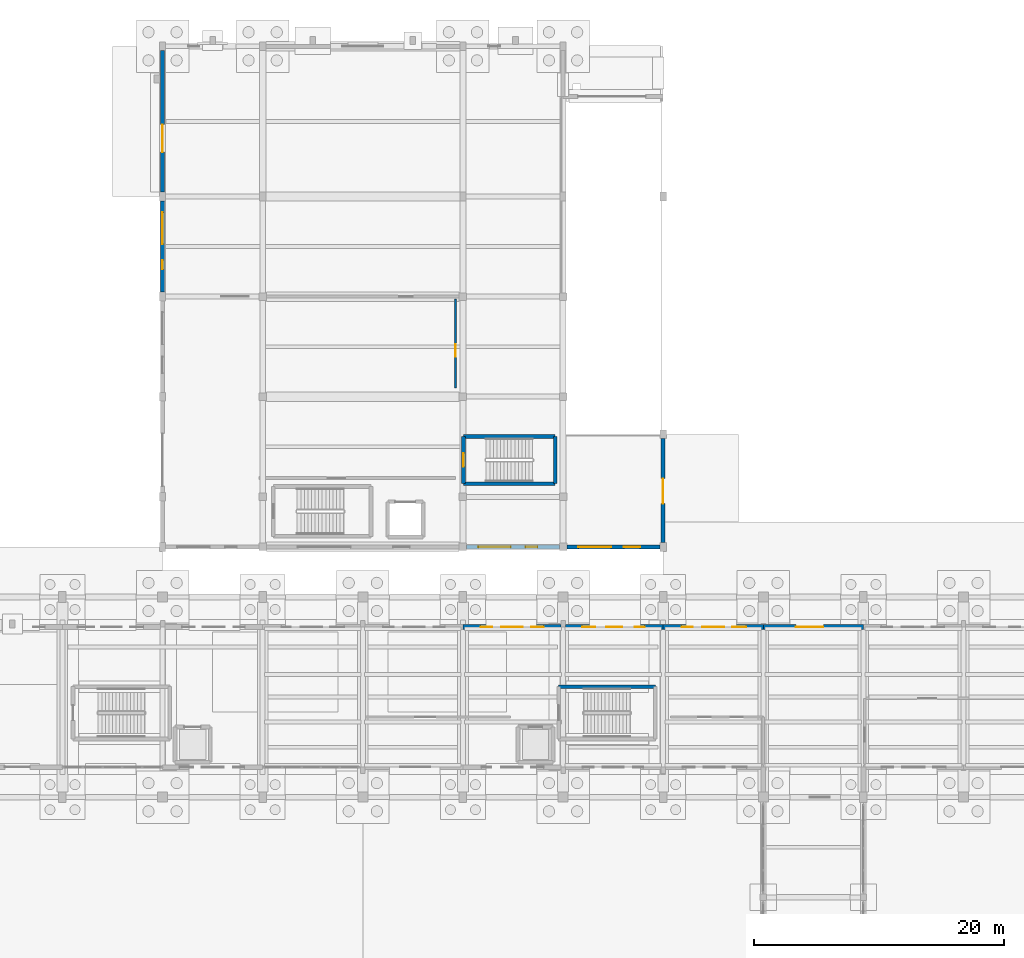
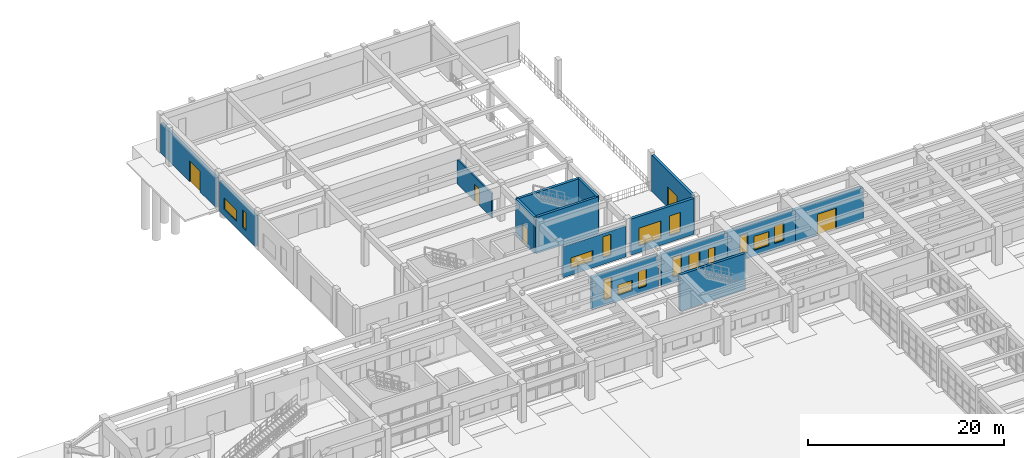
# One storey, part 50 of 68: 15 walls, 15 windows, 5 doors, 20 openings.
"""IFC4 building model written with IfcOpenShell, lengths in metres."""

from ifc_helpers import new_model, si_unit, direction, frame, frame_2d, origin, place, context, subcontext, project, spatial, rectangle, extrude, material, layer, layer_set, type_object, element, fill, save


model = new_model("IFC4")

# Units and contexts
model_context = context("Model", 3, precision=1e-05, world=origin(), true_north=direction((0.0, 1.0)))
body_context = subcontext(model_context, "Body", "Model", "MODEL_VIEW")
ifc_project = project(units=[si_unit("LENGTHUNIT", "METRE"), si_unit("AREAUNIT", "SQUARE_METRE"), si_unit("VOLUMEUNIT", "CUBIC_METRE"), si_unit("PLANEANGLEUNIT", "RADIAN"), si_unit("MASSUNIT", "GRAM", prefix="KILO")], contexts=[model_context])

# Site, building, storey
site_placement = place(None, origin())
site = spatial("IfcSite", under=ifc_project, at=site_placement, CompositionType="ELEMENT")
building_placement = place(site_placement, origin())
building = spatial("IfcBuilding", under=site, at=building_placement, Name="Serraluz Foothill Cableway Terminal", CompositionType="ELEMENT")
storey_placement = place(building_placement, origin())
storey = spatial("IfcBuildingStorey", under=building, at=storey_placement, Name="L00", CompositionType="ELEMENT", Elevation=0.0)

# Wall, openings, windows
ifc_material_1 = material(Name="Dark clinker clay masonry brick (f'm 14 MPa)", Category="masonry")
ifc_layer_1 = layer(ifc_material_1, 0.320068359375, Name="Dark clinker clay masonry brick (f'm 14 MPa)", Category="masonry")
ifc_layer_set_1 = layer_set([ifc_layer_1], Name="Dark clinker clay masonry brick (f'm 14 MPa)")
wall_type_1 = type_object("IfcWallType", Name="TYP-WL-EXT-320", PredefinedType="STANDARD", material=ifc_layer_set_1)
wall_1_placement = place(storey_placement, frame((72.0, 96.35009765625, 0.0), z_axis=(0.0, 0.0, 1.0), x_axis=(0.0, 1.0, 0.0)))
wall_1 = element("IfcWall", 1, at=wall_1_placement, inside=storey, type_object=wall_type_1, Name="Exterior Masonry Wall EW-V4W-L00-2B", PredefinedType="STANDARD", context=body_context, shape_type="SweptSolid", body=[
    extrude(rectangle(XDim=7.2998046875, YDim=0.320068359375, at=frame_2d((3.64990234375, 0.0))), origin(), (0.0, 0.0, 1.0), 3.820068359375),
])
opening_1_placement = place(wall_1_placement, frame((1.81494140625, 0.0, 0.85009765625)))
opening_1 = element("IfcOpeningElement", 2, at=opening_1_placement, cuts=wall_1, Name="Opening W-01", PredefinedType="OPENING", context=body_context, shape_type="SweptSolid", body=[
    extrude(rectangle(XDim=0.75, YDim=2.199951171875, at=frame_2d((0.375, 1.10009765625))), frame((0.0, 0.169921875, 0.0), z_axis=(0.0, -1.0, 0.0), x_axis=(1.0, 0.0, 0.0)), (0.0, 0.0, 1.0), 0.340087890625),
])
opening_2_placement = place(wall_1_placement, frame((3.83251953125, 0.0, 0.85009765625)))
opening_2 = element("IfcOpeningElement", 3, at=opening_2_placement, cuts=wall_1, Name="Opening W-16", PredefinedType="OPENING", context=body_context, shape_type="SweptSolid", body=[
    extrude(rectangle(XDim=2.554931640625, YDim=1.39990234375, at=frame_2d((1.27734375, 0.699951171875))), frame((0.0, 0.169921875, 0.0), z_axis=(0.0, -1.0, 0.0), x_axis=(1.0, 0.0, 0.0)), (0.0, 0.0, 1.0), 0.340087890625),
])
ifc_material_2 = material(Name="Laminated low-E safety glass", Category="glass")
window_type_1 = type_object("IfcWindowType", Name="TYP-WN-075X220", PartitioningType="SINGLE_PANEL", PredefinedType="WINDOW", material=ifc_material_2)
window_1_placement = place(opening_1_placement, origin())
window_1 = element("IfcWindow", 4, at=window_1_placement, inside=storey, type_object=window_type_1, Name="Exterior Window EW-V4W-L00-2B-WN1", OverallHeight=2.199951171875, OverallWidth=0.75, PartitioningType="SINGLE_PANEL", PredefinedType="WINDOW", context=body_context, shape_type="SweptSolid", body=[
    extrude(rectangle(XDim=0.75, YDim=2.199951171875, at=frame_2d((0.375, 1.10009765625))), frame((0.0, 0.030029296875, 0.0), z_axis=(0.0, -1.0, 0.0), x_axis=(1.0, 0.0, 0.0)), (0.0, 0.0, 1.0), 0.06005859375),
])
fill(opening_1, window_1)
window_type_2 = type_object("IfcWindowType", Name="TYP-WN-300X140", PartitioningType="TRIPLE_PANEL_VERTICAL", PredefinedType="WINDOW", material=ifc_material_2)
window_2_placement = place(opening_2_placement, origin())
window_2 = element("IfcWindow", 5, at=window_2_placement, inside=storey, type_object=window_type_2, Name="Exterior Window EW-V4W-L00-2B-WN2", OverallHeight=1.39990234375, OverallWidth=2.554931640625, PartitioningType="SINGLE_PANEL", PredefinedType="WINDOW", context=body_context, shape_type="SweptSolid", body=[
    extrude(rectangle(XDim=2.554931640625, YDim=1.39990234375, at=frame_2d((1.27734375, 0.699951171875))), frame((0.0, 0.030029296875, 0.0), z_axis=(0.0, -1.0, 0.0), x_axis=(1.0, 0.0, 0.0)), (0.0, 0.0, 1.0), 0.06005859375),
])
fill(opening_2, window_2)

# Wall, opening, door
wall_2_placement = place(storey_placement, frame((72.0, 104.35009765625, 0.0), z_axis=(0.0, 0.0, 1.0), x_axis=(0.0, 1.0, 0.0)))
wall_2 = element("IfcWall", 6, at=wall_2_placement, inside=storey, type_object=wall_type_1, Name="Exterior Masonry Wall EW-V4W-L00-3", PredefinedType="STANDARD", context=body_context, shape_type="SweptSolid", body=[
    extrude(rectangle(XDim=11.2998046875, YDim=0.320068359375, at=frame_2d((5.64990234375, 0.0))), origin(), (0.0, 0.0, 1.0), 3.719970703125),
])
opening_3_placement = place(wall_2_placement, frame((3.199951171875, 0.0, 0.0)))
opening_3 = element("IfcOpeningElement", 7, at=opening_3_placement, cuts=wall_2, Name="Opening DE-02", PredefinedType="OPENING", context=body_context, shape_type="SweptSolid", body=[
    extrude(rectangle(XDim=2.199951171875, YDim=2.60009765625, at=frame_2d((1.10009765625, 1.300048828125))), frame((0.0, 0.169921875, 0.0), z_axis=(0.0, -1.0, 0.0), x_axis=(1.0, 0.0, 0.0)), (0.0, 0.0, 1.0), 0.340087890625),
])
ifc_material_3 = material(Name="Architectural bronze alloy C28000", Category="aluminium")
door_type_1 = type_object("IfcDoorType", Name="TYP-DR-EX-2200", OperationType="DOUBLE_DOOR_SINGLE_SWING", PredefinedType="DOOR", material=ifc_material_3)
door_1_placement = place(opening_3_placement, origin())
door_1 = element("IfcDoor", 8, at=door_1_placement, inside=storey, type_object=door_type_1, Name="Main pedestrian exit door D-EX-V4N", OperationType="DOUBLE_DOOR_SINGLE_SWING", OverallHeight=2.60009765625, OverallWidth=2.199951171875, PredefinedType="DOOR", context=body_context, shape_type="SweptSolid", body=[
    extrude(rectangle(XDim=2.199951171875, YDim=2.60009765625, at=frame_2d((1.10009765625, 1.300048828125))), frame((0.0, 0.02490234375, 0.0), z_axis=(0.0, -1.0, 0.0), x_axis=(1.0, 0.0, 0.0)), (0.0, 0.0, 1.0), 0.050048828125),
])
fill(opening_3, door_1)

wall_3_placement = place(storey_placement, frame((112.0, 84.64990234375, 0.0), z_axis=(0.0, 0.0, 1.0), x_axis=(0.0, -1.0, 0.0)))
wall_3 = element("IfcWall", 9, at=wall_3_placement, inside=storey, type_object=wall_type_1, Name="Exterior Masonry Wall EW-V4E-L00-1", PredefinedType="STANDARD", context=body_context, shape_type="SweptSolid", body=[
    extrude(rectangle(XDim=8.2998046875, YDim=0.320068359375, at=frame_2d((4.14990234375, 0.0))), origin(), (0.0, 0.0, 1.0), 4.5),
])
opening_4_placement = place(wall_3_placement, frame((3.199951171875, 0.0, 0.0)))
opening_4 = element("IfcOpeningElement", 10, at=opening_4_placement, cuts=wall_3, Name="Opening DE-01", PredefinedType="OPENING", context=body_context, shape_type="SweptSolid", body=[
    extrude(rectangle(XDim=2.0, YDim=2.5, at=frame_2d((1.0, 1.25))), frame((0.0, 0.169921875, 0.0), z_axis=(0.0, -1.0, 0.0), x_axis=(1.0, 0.0, 0.0)), (0.0, 0.0, 1.0), 0.340087890625),
])
door_type_2 = type_object("IfcDoorType", Name="TYP-DR-EX-2000", OperationType="DOUBLE_DOOR_SINGLE_SWING", PredefinedType="DOOR", material=ifc_material_3)
door_2_placement = place(opening_4_placement, origin())
door_2 = element("IfcDoor", 11, at=door_2_placement, inside=storey, type_object=door_type_2, Name="Main pedestrian exit door D-EX-V4E", OperationType="DOUBLE_DOOR_SINGLE_SWING", OverallHeight=2.5, OverallWidth=2.0, PredefinedType="DOOR", context=body_context, shape_type="SweptSolid", body=[
    extrude(rectangle(XDim=2.0, YDim=2.5, at=frame_2d((1.0, 1.25))), frame((0.0, 0.02490234375, 0.0), z_axis=(0.0, -1.0, 0.0), x_axis=(1.0, 0.0, 0.0)), (0.0, 0.0, 1.0), 0.050048828125),
])
fill(opening_4, door_2)

# Wall, openings, windows
wall_4_placement = place(storey_placement, frame((111.75, 76.0, 0.0), z_axis=(0.0, 0.0, 1.0), x_axis=(-1.0, 0.0, 0.0)))
wall_4 = element("IfcWall", 12, at=wall_4_placement, inside=storey, type_object=wall_type_1, Name="Exterior Masonry Wall EW-V4S-L00-104", PredefinedType="STANDARD", context=body_context, shape_type="SweptSolid", body=[
    extrude(rectangle(XDim=7.449951171875, YDim=0.320068359375, at=frame_2d((3.72509765625, 0.0))), origin(), (0.0, 0.0, 1.0), 4.5),
])
opening_5_placement = place(wall_4_placement, frame((1.5849609375, 0.0, 0.85009765625)))
opening_5 = element("IfcOpeningElement", 13, at=opening_5_placement, cuts=wall_4, Name="Opening W-40", PredefinedType="OPENING", context=body_context, shape_type="SweptSolid", body=[
    extrude(rectangle(XDim=1.300048828125, YDim=2.449951171875, at=frame_2d((0.64990234375, 1.22509765625))), frame((0.0, 0.169921875, 0.0), z_axis=(0.0, -1.0, 0.0), x_axis=(1.0, 0.0, 0.0)), (0.0, 0.0, 1.0), 0.340087890625),
])
opening_6_placement = place(wall_4_placement, frame((3.910888671875, 0.0, 0.85009765625)))
opening_6 = element("IfcOpeningElement", 14, at=opening_6_placement, cuts=wall_4, Name="Opening W-20", PredefinedType="OPENING", context=body_context, shape_type="SweptSolid", body=[
    extrude(rectangle(XDim=2.60791015625, YDim=2.199951171875, at=frame_2d((1.303955078125, 1.10009765625))), frame((0.0, 0.169921875, 0.0), z_axis=(0.0, -1.0, 0.0), x_axis=(1.0, 0.0, 0.0)), (0.0, 0.0, 1.0), 0.340087890625),
])
window_type_3 = type_object("IfcWindowType", Name="TYP-WN-130X245", PartitioningType="DOUBLE_PANEL_VERTICAL", PredefinedType="WINDOW", material=ifc_material_2)
window_3_placement = place(opening_5_placement, origin())
window_3 = element("IfcWindow", 15, at=window_3_placement, inside=storey, type_object=window_type_3, Name="Exterior Window EW-V4S-L00-104-WN1", OverallHeight=2.449951171875, OverallWidth=1.300048828125, PartitioningType="SINGLE_PANEL", PredefinedType="WINDOW", context=body_context, shape_type="SweptSolid", body=[
    extrude(rectangle(XDim=1.300048828125, YDim=2.449951171875, at=frame_2d((0.64990234375, 1.22509765625))), frame((0.0, 0.030029296875, 0.0), z_axis=(0.0, -1.0, 0.0), x_axis=(1.0, 0.0, 0.0)), (0.0, 0.0, 1.0), 0.06005859375),
])
fill(opening_5, window_3)
window_type_4 = type_object("IfcWindowType", Name="TYP-WN-360X220", PartitioningType="TRIPLE_PANEL_VERTICAL", PredefinedType="WINDOW", material=ifc_material_2)
window_4_placement = place(opening_6_placement, origin())
window_4 = element("IfcWindow", 16, at=window_4_placement, inside=storey, type_object=window_type_4, Name="Exterior Window EW-V4S-L00-104-WN2", OverallHeight=2.199951171875, OverallWidth=2.60791015625, PartitioningType="SINGLE_PANEL", PredefinedType="WINDOW", context=body_context, shape_type="SweptSolid", body=[
    extrude(rectangle(XDim=2.60791015625, YDim=2.199951171875, at=frame_2d((1.303955078125, 1.10009765625))), frame((0.0, 0.030029296875, 0.0), z_axis=(0.0, -1.0, 0.0), x_axis=(1.0, 0.0, 0.0)), (0.0, 0.0, 1.0), 0.06005859375),
])
fill(opening_6, window_4)

wall_5_placement = place(storey_placement, frame((103.699951171875, 76.0, 0.0), z_axis=(0.0, 0.0, 1.0), x_axis=(-1.0, 0.0, 0.0)))
wall_5 = element("IfcWall", 17, at=wall_5_placement, inside=storey, type_object=wall_type_1, Name="Exterior Masonry Wall EW-V4S-L00-96", PredefinedType="STANDARD", context=body_context, shape_type="SweptSolid", body=[
    extrude(rectangle(XDim=7.39990234375, YDim=0.320068359375, at=frame_2d((3.699951171875, 0.0))), origin(), (0.0, 0.0, 1.0), 3.85009765625),
])
opening_7_placement = place(wall_5_placement, frame((1.7451171875, 0.0, 0.85009765625)))
opening_7 = element("IfcOpeningElement", 18, at=opening_7_placement, cuts=wall_5, Name="Opening W-03", PredefinedType="OPENING", context=body_context, shape_type="SweptSolid", body=[
    extrude(rectangle(XDim=0.949951171875, YDim=2.60009765625, at=frame_2d((0.47509765625, 1.300048828125))), frame((0.0, 0.169921875, 0.0), z_axis=(0.0, -1.0, 0.0), x_axis=(1.0, 0.0, 0.0)), (0.0, 0.0, 1.0), 0.340087890625),
])
opening_8_placement = place(wall_5_placement, frame((3.885009765625, 0.0, 0.85009765625)))
opening_8 = element("IfcOpeningElement", 19, at=opening_8_placement, cuts=wall_5, Name="Opening W-21", PredefinedType="OPENING", context=body_context, shape_type="SweptSolid", body=[
    extrude(rectangle(XDim=2.590087890625, YDim=1.300048828125, at=frame_2d((1.294921875, 0.64990234375))), frame((0.0, 0.169921875, 0.0), z_axis=(0.0, -1.0, 0.0), x_axis=(1.0, 0.0, 0.0)), (0.0, 0.0, 1.0), 0.340087890625),
])
window_type_5 = type_object("IfcWindowType", Name="TYP-WN-095X260", PartitioningType="SINGLE_PANEL", PredefinedType="WINDOW", material=ifc_material_2)
window_5_placement = place(opening_7_placement, origin())
window_5 = element("IfcWindow", 20, at=window_5_placement, inside=storey, type_object=window_type_5, Name="Exterior Window EW-V4S-L00-96-WN1", OverallHeight=2.60009765625, OverallWidth=0.949951171875, PartitioningType="SINGLE_PANEL", PredefinedType="WINDOW", context=body_context, shape_type="SweptSolid", body=[
    extrude(rectangle(XDim=0.949951171875, YDim=2.60009765625, at=frame_2d((0.47509765625, 1.300048828125))), frame((0.0, 0.030029296875, 0.0), z_axis=(0.0, -1.0, 0.0), x_axis=(1.0, 0.0, 0.0)), (0.0, 0.0, 1.0), 0.06005859375),
])
fill(opening_7, window_5)
window_type_6 = type_object("IfcWindowType", Name="TYP-WN-400X130", PartitioningType="DOUBLE_PANEL_HORIZONTAL", PredefinedType="WINDOW", material=ifc_material_2)
window_6_placement = place(opening_8_placement, origin())
window_6 = element("IfcWindow", 21, at=window_6_placement, inside=storey, type_object=window_type_6, Name="Exterior Window EW-V4S-L00-96-WN2", OverallHeight=1.300048828125, OverallWidth=2.590087890625, PartitioningType="SINGLE_PANEL", PredefinedType="WINDOW", context=body_context, shape_type="SweptSolid", body=[
    extrude(rectangle(XDim=2.590087890625, YDim=1.300048828125, at=frame_2d((1.294921875, 0.64990234375))), frame((0.0, 0.030029296875, 0.0), z_axis=(0.0, -1.0, 0.0), x_axis=(1.0, 0.0, 0.0)), (0.0, 0.0, 1.0), 0.06005859375),
])
fill(opening_8, window_6)

ifc_layer_2 = layer(ifc_material_1, 0.3798828125, Name="Dark clinker clay masonry brick (f'm 14 MPa)", Category="masonry")
ifc_layer_set_2 = layer_set([ifc_layer_2], Name="Dark clinker clay masonry brick (f'm 14 MPa)")
wall_type_2 = type_object("IfcWallType", Name="TYP-WL-EXT-380", PredefinedType="STANDARD", material=ifc_layer_set_2)
wall_6_placement = place(storey_placement, frame((96.0, 69.60009765625, 0.0), z_axis=(0.0, 0.0, 1.0), x_axis=(1.0, 0.0, 0.0)))
wall_6 = element("IfcWall", 22, at=wall_6_placement, inside=storey, type_object=wall_type_2, Name="Exterior Masonry Wall EW-V1N-L00-96", PredefinedType="STANDARD", context=body_context, shape_type="SweptSolid", body=[
    extrude(rectangle(XDim=7.824951171875, YDim=0.3798828125, at=frame_2d((3.91259765625, 0.0))), origin(), (0.0, 0.0, 1.0), 4.050048828125),
])
opening_9_placement = place(wall_6_placement, frame((1.403076171875, 0.0, 0.719970703125)))
opening_9 = element("IfcOpeningElement", 23, at=opening_9_placement, cuts=wall_6, Name="Opening W-03", PredefinedType="OPENING", context=body_context, shape_type="SweptSolid", body=[
    extrude(rectangle(XDim=0.949951171875, YDim=2.60009765625, at=frame_2d((0.47509765625, 1.300048828125))), frame((0.0, 0.199951171875, 0.0), z_axis=(0.0, -1.0, 0.0), x_axis=(1.0, 0.0, 0.0)), (0.0, 0.0, 1.0), 0.39990234375),
])
opening_10_placement = place(wall_6_placement, frame((3.051513671875, 0.0, 0.719970703125)))
opening_10 = element("IfcOpeningElement", 24, at=opening_10_placement, cuts=wall_6, Name="Opening W-21", PredefinedType="OPENING", context=body_context, shape_type="SweptSolid", body=[
    extrude(rectangle(XDim=1.721923828125, YDim=1.300048828125, at=frame_2d((0.86083984375, 0.64990234375))), frame((0.0, 0.199951171875, 0.0), z_axis=(0.0, -1.0, 0.0), x_axis=(1.0, 0.0, 0.0)), (0.0, 0.0, 1.0), 0.39990234375),
])
opening_11_placement = place(wall_6_placement, frame((5.45703125, 0.0, 0.719970703125)))
opening_11 = element("IfcOpeningElement", 25, at=opening_11_placement, cuts=wall_6, Name="Opening W-49", PredefinedType="OPENING", context=body_context, shape_type="SweptSolid", body=[
    extrude(rectangle(XDim=0.97998046875, YDim=2.14990234375, at=frame_2d((0.489990234375, 1.074951171875))), frame((0.0, 0.199951171875, 0.0), z_axis=(0.0, -1.0, 0.0), x_axis=(1.0, 0.0, 0.0)), (0.0, 0.0, 1.0), 0.39990234375),
])
window_7_placement = place(opening_9_placement, origin())
window_7 = element("IfcWindow", 26, at=window_7_placement, inside=storey, type_object=window_type_5, Name="Exterior Window EW-V1N-L00-96-WN1", OverallHeight=2.60009765625, OverallWidth=0.949951171875, PartitioningType="SINGLE_PANEL", PredefinedType="WINDOW", context=body_context, shape_type="SweptSolid", body=[
    extrude(rectangle(XDim=0.949951171875, YDim=2.60009765625, at=frame_2d((0.47509765625, 1.300048828125))), frame((0.0, 0.030029296875, 0.0), z_axis=(0.0, -1.0, 0.0), x_axis=(1.0, 0.0, 0.0)), (0.0, 0.0, 1.0), 0.06005859375),
])
fill(opening_9, window_7)
window_type_7 = type_object("IfcWindowType", Name="TYP-WN-098X215", PartitioningType="SINGLE_PANEL", PredefinedType="WINDOW", material=ifc_material_2)
window_8_placement = place(opening_11_placement, origin())
window_8 = element("IfcWindow", 27, at=window_8_placement, inside=storey, type_object=window_type_7, Name="Exterior Window EW-V1N-L00-96-WN3", OverallHeight=2.14990234375, OverallWidth=0.97998046875, PartitioningType="SINGLE_PANEL", PredefinedType="WINDOW", context=body_context, shape_type="SweptSolid", body=[
    extrude(rectangle(XDim=0.97998046875, YDim=2.14990234375, at=frame_2d((0.489990234375, 1.074951171875))), frame((0.0, 0.030029296875, 0.0), z_axis=(0.0, -1.0, 0.0), x_axis=(1.0, 0.0, 0.0)), (0.0, 0.0, 1.0), 0.06005859375),
])
fill(opening_11, window_8)
window_9_placement = place(opening_10_placement, origin())
window_9 = element("IfcWindow", 28, at=window_9_placement, inside=storey, type_object=window_type_6, Name="Exterior Window EW-V1N-L00-96-WN2", OverallHeight=1.300048828125, OverallWidth=1.721923828125, PartitioningType="SINGLE_PANEL", PredefinedType="WINDOW", context=body_context, shape_type="SweptSolid", body=[
    extrude(rectangle(XDim=1.721923828125, YDim=1.300048828125, at=frame_2d((0.86083984375, 0.64990234375))), frame((0.0, 0.030029296875, 0.0), z_axis=(0.0, -1.0, 0.0), x_axis=(1.0, 0.0, 0.0)), (0.0, 0.0, 1.0), 0.06005859375),
])
fill(opening_10, window_9)

wall_7_placement = place(storey_placement, frame((104.175048828125, 69.60009765625, 0.0), z_axis=(0.0, 0.0, 1.0), x_axis=(1.0, 0.0, 0.0)))
wall_7 = element("IfcWall", 29, at=wall_7_placement, inside=storey, type_object=wall_type_2, Name="Exterior Masonry Wall EW-V1N-L00-104", PredefinedType="STANDARD", context=body_context, shape_type="SweptSolid", body=[
    extrude(rectangle(XDim=7.824951171875, YDim=0.3798828125, at=frame_2d((3.91259765625, 0.0))), origin(), (0.0, 0.0, 1.0), 4.050048828125),
])
opening_12_placement = place(wall_7_placement, frame((1.35302734375, 0.0, 0.719970703125)))
opening_12 = element("IfcOpeningElement", 30, at=opening_12_placement, cuts=wall_7, Name="Opening W-38", PredefinedType="OPENING", context=body_context, shape_type="SweptSolid", body=[
    extrude(rectangle(XDim=1.050048828125, YDim=2.5, at=frame_2d((0.52490234375, 1.25))), frame((0.0, 0.199951171875, 0.0), z_axis=(0.0, -1.0, 0.0), x_axis=(1.0, 0.0, 0.0)), (0.0, 0.0, 1.0), 0.39990234375),
])
opening_13_placement = place(wall_7_placement, frame((3.28759765625, 0.0, 0.719970703125)))
opening_13 = element("IfcOpeningElement", 31, at=opening_13_placement, cuts=wall_7, Name="Opening W-25", PredefinedType="OPENING", context=body_context, shape_type="SweptSolid", body=[
    extrude(rectangle(XDim=1.25, YDim=2.14990234375, at=frame_2d((0.625, 1.074951171875))), frame((0.0, 0.199951171875, 0.0), z_axis=(0.0, -1.0, 0.0), x_axis=(1.0, 0.0, 0.0)), (0.0, 0.0, 1.0), 0.39990234375),
])
opening_14_placement = place(wall_7_placement, frame((5.547119140625, 0.0, 0.719970703125)))
opening_14 = element("IfcOpeningElement", 32, at=opening_14_placement, cuts=wall_7, Name="Opening W-36", PredefinedType="OPENING", context=body_context, shape_type="SweptSolid", body=[
    extrude(rectangle(XDim=0.800048828125, YDim=2.050048828125, at=frame_2d((0.39990234375, 1.02490234375))), frame((0.0, 0.199951171875, 0.0), z_axis=(0.0, -1.0, 0.0), x_axis=(1.0, 0.0, 0.0)), (0.0, 0.0, 1.0), 0.39990234375),
])
window_type_8 = type_object("IfcWindowType", Name="TYP-WN-080X205", PartitioningType="SINGLE_PANEL", PredefinedType="WINDOW", material=ifc_material_2)
window_10_placement = place(opening_14_placement, origin())
window_10 = element("IfcWindow", 33, at=window_10_placement, inside=storey, type_object=window_type_8, Name="Exterior Window EW-V1N-L00-104-WN3", OverallHeight=2.050048828125, OverallWidth=0.800048828125, PartitioningType="SINGLE_PANEL", PredefinedType="WINDOW", context=body_context, shape_type="SweptSolid", body=[
    extrude(rectangle(XDim=0.800048828125, YDim=2.050048828125, at=frame_2d((0.39990234375, 1.02490234375))), frame((0.0, 0.030029296875, 0.0), z_axis=(0.0, -1.0, 0.0), x_axis=(1.0, 0.0, 0.0)), (0.0, 0.0, 1.0), 0.06005859375),
])
fill(opening_14, window_10)
window_type_9 = type_object("IfcWindowType", Name="TYP-WN-105X250", PartitioningType="SINGLE_PANEL", PredefinedType="WINDOW", material=ifc_material_2)
window_11_placement = place(opening_12_placement, origin())
window_11 = element("IfcWindow", 34, at=window_11_placement, inside=storey, type_object=window_type_9, Name="Exterior Window EW-V1N-L00-104-WN1", OverallHeight=2.5, OverallWidth=1.050048828125, PartitioningType="SINGLE_PANEL", PredefinedType="WINDOW", context=body_context, shape_type="SweptSolid", body=[
    extrude(rectangle(XDim=1.050048828125, YDim=2.5, at=frame_2d((0.52490234375, 1.25))), frame((0.0, 0.030029296875, 0.0), z_axis=(0.0, -1.0, 0.0), x_axis=(1.0, 0.0, 0.0)), (0.0, 0.0, 1.0), 0.06005859375),
])
fill(opening_12, window_11)
window_type_10 = type_object("IfcWindowType", Name="TYP-WN-125X215", PartitioningType="DOUBLE_PANEL_VERTICAL", PredefinedType="WINDOW", material=ifc_material_2)
window_12_placement = place(opening_13_placement, origin())
window_12 = element("IfcWindow", 35, at=window_12_placement, inside=storey, type_object=window_type_10, Name="Exterior Window EW-V1N-L00-104-WN2", OverallHeight=2.14990234375, OverallWidth=1.25, PartitioningType="SINGLE_PANEL", PredefinedType="WINDOW", context=body_context, shape_type="SweptSolid", body=[
    extrude(rectangle(XDim=1.25, YDim=2.14990234375, at=frame_2d((0.625, 1.074951171875))), frame((0.0, 0.030029296875, 0.0), z_axis=(0.0, -1.0, 0.0), x_axis=(1.0, 0.0, 0.0)), (0.0, 0.0, 1.0), 0.06005859375),
])
fill(opening_13, window_12)

wall_8_placement = place(storey_placement, frame((112.0, 69.60009765625, 0.0), z_axis=(0.0, 0.0, 1.0), x_axis=(1.0, 0.0, 0.0)))
wall_8 = element("IfcWall", 36, at=wall_8_placement, inside=storey, type_object=wall_type_2, Name="Exterior Masonry Wall EW-V1N-L00-112", PredefinedType="STANDARD", context=body_context, shape_type="SweptSolid", body=[
    extrude(rectangle(XDim=8.0, YDim=0.3798828125, at=frame_2d((4.0, 0.0))), origin(), (0.0, 0.0, 1.0), 4.050048828125),
])
opening_15_placement = place(wall_8_placement, frame((1.469970703125, 0.0, 0.719970703125)))
opening_15 = element("IfcOpeningElement", 37, at=opening_15_placement, cuts=wall_8, Name="Opening W-37", PredefinedType="OPENING", context=body_context, shape_type="SweptSolid", body=[
    extrude(rectangle(XDim=0.89990234375, YDim=2.35009765625, at=frame_2d((0.449951171875, 1.175048828125))), frame((0.0, 0.199951171875, 0.0), z_axis=(0.0, -1.0, 0.0), x_axis=(1.0, 0.0, 0.0)), (0.0, 0.0, 1.0), 0.39990234375),
])
opening_16_placement = place(wall_8_placement, frame((3.1201171875, 0.0, 0.719970703125)))
opening_16 = element("IfcOpeningElement", 38, at=opening_16_placement, cuts=wall_8, Name="Opening W-29", PredefinedType="OPENING", context=body_context, shape_type="SweptSolid", body=[
    extrude(rectangle(XDim=1.760009765625, YDim=1.75, at=frame_2d((0.8798828125, 0.875))), frame((0.0, 0.199951171875, 0.0), z_axis=(0.0, -1.0, 0.0), x_axis=(1.0, 0.0, 0.0)), (0.0, 0.0, 1.0), 0.39990234375),
])
opening_17_placement = place(wall_8_placement, frame((5.530029296875, 0.0, 0.719970703125)))
opening_17 = element("IfcOpeningElement", 39, at=opening_17_placement, cuts=wall_8, Name="Opening W-04", PredefinedType="OPENING", context=body_context, shape_type="SweptSolid", body=[
    extrude(rectangle(XDim=1.10009765625, YDim=2.199951171875, at=frame_2d((0.550048828125, 1.10009765625))), frame((0.0, 0.199951171875, 0.0), z_axis=(0.0, -1.0, 0.0), x_axis=(1.0, 0.0, 0.0)), (0.0, 0.0, 1.0), 0.39990234375),
])
window_type_11 = type_object("IfcWindowType", Name="TYP-WN-090X235", PartitioningType="SINGLE_PANEL", PredefinedType="WINDOW", material=ifc_material_2)
window_13_placement = place(opening_15_placement, origin())
window_13 = element("IfcWindow", 40, at=window_13_placement, inside=storey, type_object=window_type_11, Name="Exterior Window EW-V1N-L00-112-WN1", OverallHeight=2.35009765625, OverallWidth=0.89990234375, PartitioningType="SINGLE_PANEL", PredefinedType="WINDOW", context=body_context, shape_type="SweptSolid", body=[
    extrude(rectangle(XDim=0.89990234375, YDim=2.35009765625, at=frame_2d((0.449951171875, 1.175048828125))), frame((0.0, 0.030029296875, 0.0), z_axis=(0.0, -1.0, 0.0), x_axis=(1.0, 0.0, 0.0)), (0.0, 0.0, 1.0), 0.06005859375),
])
fill(opening_15, window_13)
window_type_12 = type_object("IfcWindowType", Name="TYP-WN-110X220", PartitioningType="SINGLE_PANEL", PredefinedType="WINDOW", material=ifc_material_2)
window_14_placement = place(opening_17_placement, origin())
window_14 = element("IfcWindow", 41, at=window_14_placement, inside=storey, type_object=window_type_12, Name="Exterior Window EW-V1N-L00-112-WN3", OverallHeight=2.199951171875, OverallWidth=1.10009765625, PartitioningType="SINGLE_PANEL", PredefinedType="WINDOW", context=body_context, shape_type="SweptSolid", body=[
    extrude(rectangle(XDim=1.10009765625, YDim=2.199951171875, at=frame_2d((0.550048828125, 1.10009765625))), frame((0.0, 0.030029296875, 0.0), z_axis=(0.0, -1.0, 0.0), x_axis=(1.0, 0.0, 0.0)), (0.0, 0.0, 1.0), 0.06005859375),
])
fill(opening_17, window_14)
window_type_13 = type_object("IfcWindowType", Name="TYP-WN-225X175", PartitioningType="TRIPLE_PANEL_VERTICAL", PredefinedType="WINDOW", material=ifc_material_2)
window_15_placement = place(opening_16_placement, origin())
window_15 = element("IfcWindow", 42, at=window_15_placement, inside=storey, type_object=window_type_13, Name="Exterior Window EW-V1N-L00-112-WN2", OverallHeight=1.75, OverallWidth=1.760009765625, PartitioningType="SINGLE_PANEL", PredefinedType="WINDOW", context=body_context, shape_type="SweptSolid", body=[
    extrude(rectangle(XDim=1.760009765625, YDim=1.75, at=frame_2d((0.8798828125, 0.875))), frame((0.0, 0.030029296875, 0.0), z_axis=(0.0, -1.0, 0.0), x_axis=(1.0, 0.0, 0.0)), (0.0, 0.0, 1.0), 0.06005859375),
])
fill(opening_16, window_15)

# Wall, opening, door
wall_9_placement = place(storey_placement, frame((120.0, 69.60009765625, 0.0), z_axis=(0.0, 0.0, 1.0), x_axis=(1.0, 0.0, 0.0)))
wall_9 = element("IfcWall", 43, at=wall_9_placement, inside=storey, type_object=wall_type_2, Name="Exterior Masonry Wall EW-V1N-L00-120", PredefinedType="STANDARD", context=body_context, shape_type="SweptSolid", body=[
    extrude(rectangle(XDim=8.0, YDim=0.3798828125, at=frame_2d((4.0, 0.0))), origin(), (0.0, 0.0, 1.0), 4.050048828125),
])
opening_18_placement = place(wall_9_placement, frame((2.60009765625, 0.0, 0.0)))
opening_18 = element("IfcOpeningElement", 44, at=opening_18_placement, cuts=wall_9, Name="Opening DE-02", PredefinedType="OPENING", context=body_context, shape_type="SweptSolid", body=[
    extrude(rectangle(XDim=2.199951171875, YDim=2.60009765625, at=frame_2d((1.10009765625, 1.300048828125))), frame((0.0, 0.199951171875, 0.0), z_axis=(0.0, -1.0, 0.0), x_axis=(1.0, 0.0, 0.0)), (0.0, 0.0, 1.0), 0.39990234375),
])
door_3_placement = place(opening_18_placement, origin())
door_3 = element("IfcDoor", 45, at=door_3_placement, inside=storey, type_object=door_type_1, Name="Main pedestrian exit door D-EX05", OperationType="DOUBLE_DOOR_SINGLE_SWING", OverallHeight=2.60009765625, OverallWidth=2.199951171875, PredefinedType="DOOR", context=body_context, shape_type="SweptSolid", body=[
    extrude(rectangle(XDim=2.199951171875, YDim=2.60009765625, at=frame_2d((1.10009765625, 1.300048828125))), frame((0.0, 0.02490234375, 0.0), z_axis=(0.0, -1.0, 0.0), x_axis=(1.0, 0.0, 0.0)), (0.0, 0.0, 1.0), 0.050048828125),
])
fill(opening_18, door_3)

ifc_material_4 = material(Name="Fired clay masonry brick (f'm 12 MPa)", Category="masonry")
ifc_layer_3 = layer(ifc_material_4, 0.179931640625, Name="Fired clay masonry brick (f'm 12 MPa)", Category="masonry")
ifc_layer_set_3 = layer_set([ifc_layer_3], Name="Fired clay masonry brick (f'm 12 MPa)")
wall_type_3 = type_object("IfcWallType", Name="TYP-WL-PRT-180", PredefinedType="PARTITIONING", material=ifc_layer_set_3)
wall_10_placement = place(storey_placement, frame((95.39990234375, 88.699951171875, 0.0), z_axis=(0.0, 0.0, 1.0), x_axis=(0.0, 1.0, 0.0)))
wall_10 = element("IfcWall", 46, at=wall_10_placement, inside=storey, type_object=wall_type_3, Name="Interior Partition PT-L00-18W", PredefinedType="PARTITIONING", context=body_context, shape_type="SweptSolid", body=[
    extrude(rectangle(XDim=7.10009765625, YDim=0.179931640625, at=frame_2d((3.550048828125, 0.0))), origin(), (0.0, 0.0, 1.0), 3.0419921875),
])
opening_19_placement = place(wall_10_placement, frame((2.5, 0.0, 0.0)))
opening_19 = element("IfcOpeningElement", 47, at=opening_19_placement, cuts=wall_10, Name="Opening DI-04", PredefinedType="OPENING", context=body_context, shape_type="SweptSolid", body=[
    extrude(rectangle(XDim=1.0, YDim=2.10009765625, at=frame_2d((0.5, 1.050048828125))), frame((0.0, 0.10009765625, 0.0), z_axis=(0.0, -1.0, 0.0), x_axis=(1.0, 0.0, 0.0)), (0.0, 0.0, 1.0), 0.199951171875),
])
ifc_material_5 = material(Name="Kiln-dried Andean oak hardwood", Category="wood")
door_type_3 = type_object("IfcDoorType", Name="TYP-DR-ACC-1000", OperationType="NOTDEFINED", PredefinedType="DOOR", material=ifc_material_5)
door_4_placement = place(opening_19_placement, origin())
door_4 = element("IfcDoor", 48, at=door_4_placement, inside=storey, type_object=door_type_3, Name="Interior Door PT-L00-18W-DR1", OperationType="SINGLE_SWING_LEFT", OverallHeight=2.10009765625, OverallWidth=1.0, PredefinedType="DOOR", context=body_context, shape_type="SweptSolid", body=[
    extrude(rectangle(XDim=1.0, YDim=2.10009765625, at=frame_2d((0.5, 1.050048828125))), frame((0.0, 0.02490234375, 0.0), z_axis=(0.0, -1.0, 0.0), x_axis=(1.0, 0.0, 0.0)), (0.0, 0.0, 1.0), 0.050048828125),
])
fill(opening_19, door_4)

# Walls
ifc_material_6 = material(Name="Concrete C35/45 (f'c 35 MPa)", Category="concrete")
ifc_layer_4 = layer(ifc_material_6, 0.300048828125, Name="Concrete C35/45 (f'c 35 MPa)", Category="concrete")
ifc_layer_set_4 = layer_set([ifc_layer_4], Name="Concrete C35/45 (f'c 35 MPa)")
wall_type_4 = type_object("IfcWallType", Name="TYP-WL-SHR-350", PredefinedType="SHEAR", material=ifc_layer_set_4)
wall_11_placement = place(storey_placement, frame((103.64990234375, 64.830078125, 0.0), z_axis=(0.0, 0.0, 1.0), x_axis=(1.0, 0.0, 0.0)))
element("IfcWall", 49, at=wall_11_placement, inside=storey, type_object=wall_type_4, Name="Stair Core Shear Wall CW-ST-04-L00-N", PredefinedType="SHEAR", context=body_context, shape_type="SweptSolid", body=[
    extrude(rectangle(XDim=7.72509765625, YDim=0.300048828125, at=frame_2d((3.862548828125, 0.0))), origin(), (0.0, 0.0, 1.0), 4.5400390625),
])
wall_12_placement = place(storey_placement, frame((103.375, 81.050048828125, 0.0), z_axis=(0.0, 0.0, 1.0), x_axis=(-1.0, 0.0, 0.0)))
element("IfcWall", 50, at=wall_12_placement, inside=storey, type_object=wall_type_4, Name="Stair Core Shear Wall CW-ST-09-L00-S", PredefinedType="SHEAR", context=body_context, shape_type="SweptSolid", body=[
    extrude(rectangle(XDim=7.324951171875, YDim=0.300048828125, at=frame_2d((3.66259765625, 0.0))), origin(), (0.0, 0.0, 1.0), 4.5400390625),
])

# Wall, opening, door
wall_13_placement = place(storey_placement, frame((96.050048828125, 81.050048828125, 0.0), z_axis=(0.0, 0.0, 1.0), x_axis=(0.0, 1.0, 0.0)))
wall_13 = element("IfcWall", 51, at=wall_13_placement, inside=storey, type_object=wall_type_4, Name="Stair Core Shear Wall CW-ST-09-L00-W", PredefinedType="SHEAR", context=body_context, shape_type="SweptSolid", body=[
    extrude(rectangle(XDim=3.780029296875, YDim=0.300048828125, at=frame_2d((1.89013671875, 0.0))), origin(), (0.0, 0.0, 1.0), 4.5400390625),
])
opening_20_placement = place(wall_13_placement, frame((1.340087890625, 0.0, 0.0)))
opening_20 = element("IfcOpeningElement", 52, at=opening_20_placement, cuts=wall_13, Name="Opening DF-07", PredefinedType="OPENING", context=body_context, shape_type="SweptSolid", body=[
    extrude(rectangle(XDim=1.10009765625, YDim=2.199951171875, at=frame_2d((0.550048828125, 1.10009765625))), frame((0.0, 0.16015625, 0.0), z_axis=(0.0, -1.0, 0.0), x_axis=(1.0, 0.0, 0.0)), (0.0, 0.0, 1.0), 0.320068359375),
])
ifc_material_7 = material(Name="Galvanized hollow-metal steel sheet", Category="steel")
door_type_4 = type_object("IfcDoorType", Name="TYP-DR-FD60-1100", OperationType="NOTDEFINED", PredefinedType="DOOR", material=ifc_material_7)
door_5_placement = place(opening_20_placement, origin())
door_5 = element("IfcDoor", 53, at=door_5_placement, inside=storey, type_object=door_type_4, Name="Exit Stair Fire Door ST-09 L00", OperationType="SINGLE_SWING_LEFT", OverallHeight=2.199951171875, OverallWidth=1.10009765625, PredefinedType="DOOR", context=body_context, shape_type="SweptSolid", body=[
    extrude(rectangle(XDim=1.10009765625, YDim=2.199951171875, at=frame_2d((0.550048828125, 1.10009765625))), frame((0.0, 0.02490234375, 0.0), z_axis=(0.0, -1.0, 0.0), x_axis=(1.0, 0.0, 0.0)), (0.0, 0.0, 1.0), 0.050048828125),
])
fill(opening_20, door_5)

# Walls
wall_14_placement = place(storey_placement, frame((96.050048828125, 84.830078125, 0.0), z_axis=(0.0, 0.0, 1.0), x_axis=(1.0, 0.0, 0.0)))
element("IfcWall", 54, at=wall_14_placement, inside=storey, type_object=wall_type_4, Name="Stair Core Shear Wall CW-ST-09-L00-N", PredefinedType="SHEAR", context=body_context, shape_type="SweptSolid", body=[
    extrude(rectangle(XDim=7.324951171875, YDim=0.300048828125, at=frame_2d((3.66259765625, 0.0))), origin(), (0.0, 0.0, 1.0), 4.5400390625),
])
wall_15_placement = place(storey_placement, frame((103.375, 84.830078125, 0.0), z_axis=(0.0, 0.0, 1.0), x_axis=(0.0, -1.0, 0.0)))
element("IfcWall", 55, at=wall_15_placement, inside=storey, type_object=wall_type_4, Name="Stair Core Shear Wall CW-ST-09-L00-E", PredefinedType="SHEAR", context=body_context, shape_type="SweptSolid", body=[
    extrude(rectangle(XDim=3.780029296875, YDim=0.300048828125, at=frame_2d((1.89013671875, 0.0))), origin(), (0.0, 0.0, 1.0), 4.5400390625),
])

save(model, "model.ifc")
